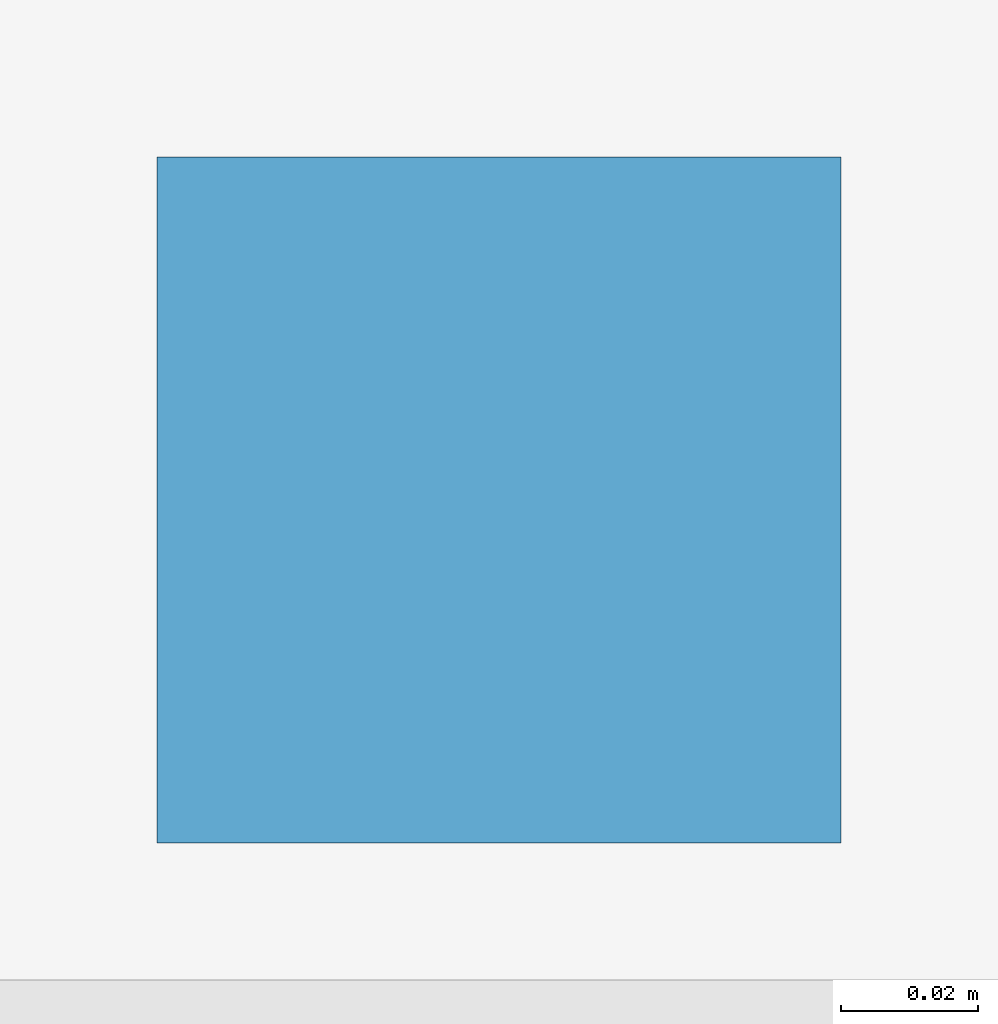
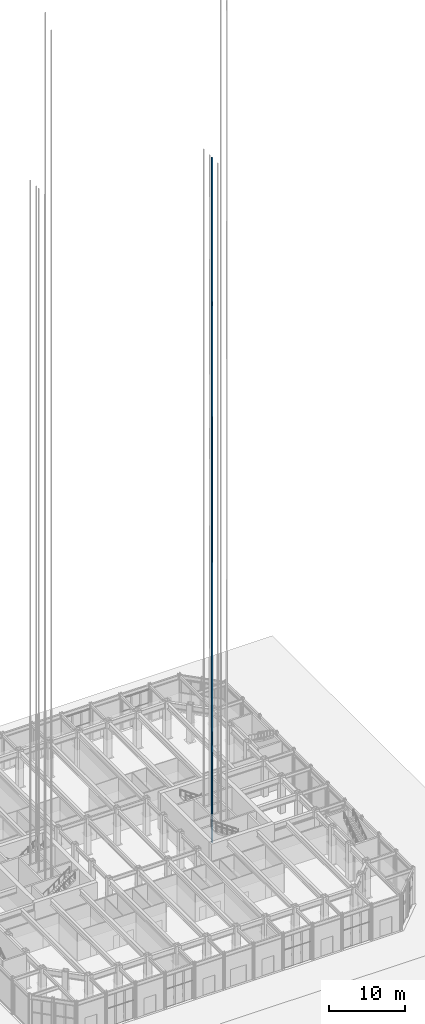
# One storey, part 33 of 39: 1 discrete accessory.
"""IFC4 building model written with IfcOpenShell, lengths in metres."""

from ifc_helpers import new_model, si_unit, direction, frame, origin, place, context, subcontext, project, spatial, polyline, outline, extrude, element, save


model = new_model("IFC4")

# Units and contexts
model_context = context("Model", 3, precision=1e-05, world=origin(), true_north=direction((0.0, 1.0)))
body_context = subcontext(model_context, "Body", "Model", "MODEL_VIEW")
ifc_project = project(units=[si_unit("LENGTHUNIT", "METRE"), si_unit("AREAUNIT", "SQUARE_METRE"), si_unit("VOLUMEUNIT", "CUBIC_METRE"), si_unit("PLANEANGLEUNIT", "RADIAN"), si_unit("MASSUNIT", "GRAM", prefix="KILO")], contexts=[model_context])

# Site, building, storey
site_placement = place(None, origin())
site = spatial("IfcSite", under=ifc_project, at=site_placement, CompositionType="ELEMENT")
building_placement = place(site_placement, origin())
building = spatial("IfcBuilding", under=site, at=building_placement, Name="Msasa Ring Tower", CompositionType="ELEMENT")
storey_placement = place(building_placement, origin())
storey = spatial("IfcBuildingStorey", under=building, at=storey_placement, Name="L00", CompositionType="ELEMENT", Elevation=0.0)

# Discrete accessory
discrete_accessory_placement = place(storey_placement, frame((0.0, 0.0, 0.050048828125)))
element("IfcDiscreteAccessory", 1, at=discrete_accessory_placement, inside=storey, Name="Lift guide rail 2 PL-R1", ObjectType="LIFT GUIDE RAIL", PredefinedType="USERDEFINED", context=body_context, shape_type="SweptSolid", body=[
    extrude(outline(polyline([(13.175048828125, 0.594970703125), (13.27490234375, 0.594970703125), (13.27490234375, 0.695068359375), (13.175048828125, 0.695068359375), (13.175048828125, 0.594970703125)])), origin(), (0.0, 0.0, 1.0), 110.550048828125),
])

save(model, "model.ifc")
